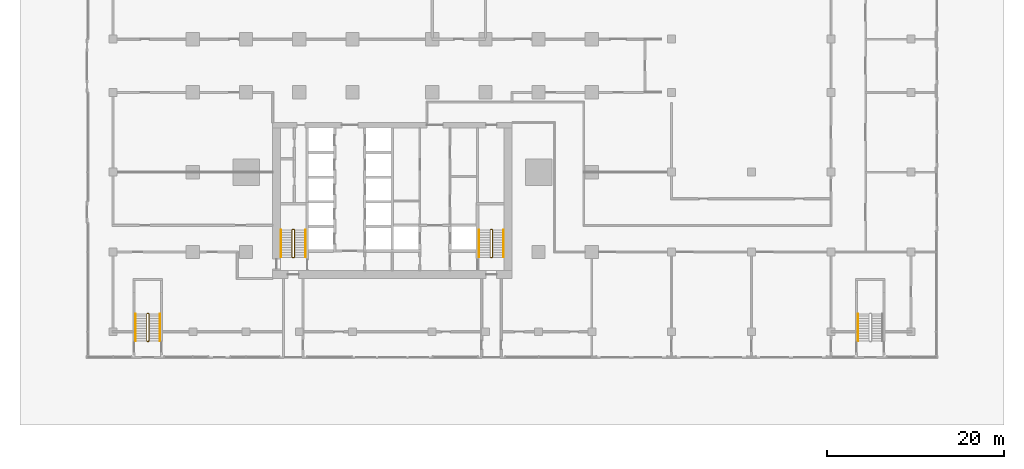
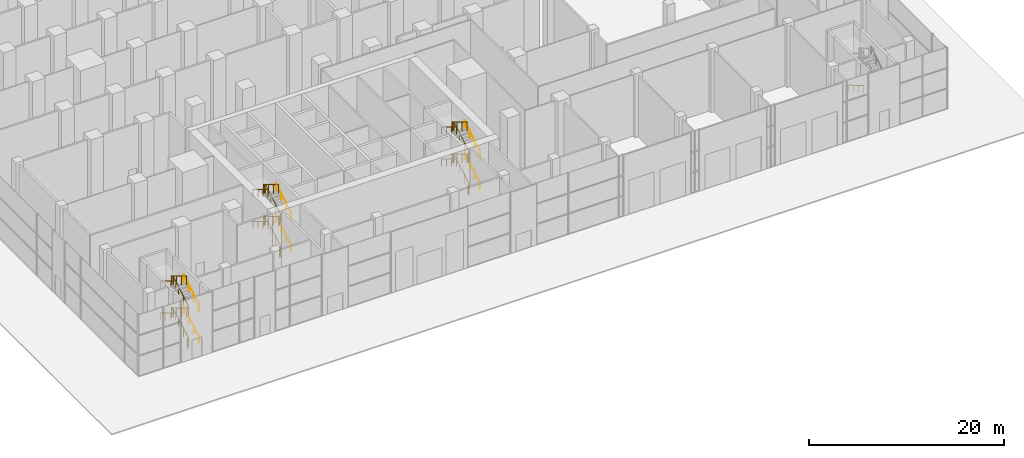
# One storey, part 28 of 29: 16 railings.
"""IFC4 building model written with IfcOpenShell, lengths in metres."""

from ifc_helpers import new_model, si_unit, direction, frame, origin, origin_2d, place, context, subcontext, project, spatial, circle, extrude, material, type_object, element, save


model = new_model("IFC4")

# Units and contexts
model_context = context("Model", 3, precision=1e-05, world=origin(), true_north=direction((0.0, 1.0)))
body_context = subcontext(model_context, "Body", "Model", "MODEL_VIEW")
ifc_project = project(units=[si_unit("LENGTHUNIT", "METRE"), si_unit("AREAUNIT", "SQUARE_METRE"), si_unit("VOLUMEUNIT", "CUBIC_METRE"), si_unit("PLANEANGLEUNIT", "RADIAN"), si_unit("MASSUNIT", "GRAM", prefix="KILO")], contexts=[model_context])

# Site, building, storey
site_placement = place(None, origin())
site = spatial("IfcSite", under=ifc_project, at=site_placement, CompositionType="ELEMENT")
building_placement = place(site_placement, origin())
building = spatial("IfcBuilding", under=site, at=building_placement, Name="Finial Court Residences", CompositionType="ELEMENT")
storey_placement = place(building_placement, origin())
storey = spatial("IfcBuildingStorey", under=building, at=storey_placement, Name="L00", CompositionType="ELEMENT", Elevation=0.0)

# Railings
ifc_material = material(Name="Stainless steel railing", Category="steel")
railing_type_1 = type_object("IfcRailingType", Name="Stair guard 1100", PredefinedType="GUARDRAIL", material=ifc_material)
railing_1_placement = place(storey_placement, frame((-11.10009765625, -23.14990234375, 0.0)))
element("IfcRailing", 1, at=railing_1_placement, inside=storey, type_object=railing_type_1, Name="L00 ST-1 stair guard 1", PredefinedType="GUARDRAIL", context=body_context, shape_type="SweptSolid", body=[
    extrude(circle(Radius=0.02392578125, at=origin_2d()), frame((0.0, 0.0, 1.076171875), z_axis=(-1.0, 0.0, 0.0), x_axis=(0.0, -1.0, 0.0)), (0.0, 0.0, 1.0), 0.14990234375),
    extrude(circle(Radius=0.02392578125, at=origin_2d()), frame((-0.14990234375, 0.0, 1.076171875), z_axis=(0.754313153044, 0.1878875253, 0.629054802844), x_axis=(-0.241699205484, 0.970351222016, 0.0)), (0.0, 0.0, 1.0), 0.26513671875),
    extrude(circle(Radius=0.02392578125, at=origin_2d()), frame((0.050048828125, 0.0498046875, 1.24267578125), z_axis=(0.0, 0.859308565015, 0.511457515432), x_axis=(-1.0, 0.0, 0.0)), (0.0, 0.0, 1.0), 3.58447265625),
    extrude(circle(Radius=0.02392578125, at=origin_2d()), frame((0.050048828125, 3.1298828125, 3.076171875), z_axis=(-0.707106781187, 0.707106781187, 0.0), x_axis=(-0.707106781187, -0.707106781187, 0.0)), (0.0, 0.0, 1.0), 0.07080078125),
    extrude(circle(Radius=0.02392578125, at=origin_2d()), frame((0.0, 3.179931640625, 3.076171875), z_axis=(-1.0, 0.0, 0.0), x_axis=(0.0, -1.0, 0.0)), (0.0, 0.0, 1.0), 0.14990234375),
    extrude(circle(Radius=0.02392578125, at=origin_2d()), frame((-0.14990234375, 3.179931640625, 3.076171875), z_axis=(-0.27628659633, -0.27628659633, 0.920506074601), x_axis=(0.707106781187, -0.707106781187, 0.0)), (0.0, 0.0, 1.0), 0.18115234375),
    extrude(circle(Radius=0.02392578125, at=origin_2d()), frame((-0.199951171875, 3.1298828125, 3.24267578125), z_axis=(0.0, -0.859308565015, 0.511457515432), x_axis=(1.0, 0.0, 0.0)), (0.0, 0.0, 1.0), 3.58447265625),
    extrude(circle(Radius=0.02392578125, at=origin_2d()), frame((-0.199951171875, 0.0498046875, 5.076171875), z_axis=(0.970351222016, -0.241699205484, 0.0), x_axis=(0.241699205484, 0.970351222016, 0.0)), (0.0, 0.0, 1.0), 0.2060546875),
    extrude(circle(Radius=0.02392578125, at=origin_2d()), frame((0.0, 0.0, 5.076171875), z_axis=(-1.0, 0.0, 0.0), x_axis=(0.0, -1.0, 0.0)), (0.0, 0.0, 1.0), 0.14990234375),
    extrude(circle(Radius=0.02392578125, at=origin_2d()), frame((-0.14990234375, 0.0, 5.076171875), z_axis=(0.754313153044, 0.1878875253, 0.629054802844), x_axis=(-0.241699205484, 0.970351222016, 0.0)), (0.0, 0.0, 1.0), 0.26513671875),
    extrude(circle(Radius=0.02392578125, at=origin_2d()), frame((0.050048828125, 0.0498046875, 5.24267578125), z_axis=(0.0, 0.859308565015, 0.511457515432), x_axis=(-1.0, 0.0, 0.0)), (0.0, 0.0, 1.0), 3.58447265625),
    extrude(circle(Radius=0.02392578125, at=origin_2d()), frame((0.050048828125, 3.1298828125, 7.076171875), z_axis=(-0.707106781187, 0.707106781187, 0.0), x_axis=(-0.707106781187, -0.707106781187, 0.0)), (0.0, 0.0, 1.0), 0.07080078125),
    extrude(circle(Radius=0.02392578125, at=origin_2d()), frame((0.0, 3.179931640625, 7.076171875), z_axis=(-1.0, 0.0, 0.0), x_axis=(0.0, -1.0, 0.0)), (0.0, 0.0, 1.0), 0.14990234375),
    extrude(circle(Radius=0.02392578125, at=origin_2d()), frame((-0.14990234375, 3.179931640625, 7.076171875), z_axis=(-0.27628659633, -0.27628659633, 0.920506074601), x_axis=(0.707106781187, -0.707106781187, 0.0)), (0.0, 0.0, 1.0), 0.18115234375),
    extrude(circle(Radius=0.02392578125, at=origin_2d()), frame((-0.199951171875, 3.1298828125, 7.24267578125), z_axis=(0.0, -0.859308565015, 0.511457515432), x_axis=(1.0, 0.0, 0.0)), (0.0, 0.0, 1.0), 3.58447265625),
    extrude(circle(Radius=0.02099609375, at=origin_2d()), origin(), (0.0, 0.0, 1.0), 1.052001953125),
    extrude(circle(Radius=0.02099609375, at=origin_2d()), frame((-0.14990234375, 0.0, 0.0)), (0.0, 0.0, 1.0), 1.052001953125),
    extrude(circle(Radius=0.02099609375, at=origin_2d()), frame((0.050048828125, 0.0498046875, 0.166748046875)), (0.0, 0.0, 1.0), 1.052001953125),
    extrude(circle(Radius=0.02099609375, at=origin_2d()), frame((0.050048828125, 1.076416015625, 0.77783203125)), (0.0, 0.0, 1.0), 1.052001953125),
    extrude(circle(Radius=0.02099609375, at=origin_2d()), frame((0.050048828125, 2.103271484375, 1.388916015625)), (0.0, 0.0, 1.0), 1.052001953125),
    extrude(circle(Radius=0.02099609375, at=origin_2d()), frame((0.050048828125, 3.1298828125, 2.0)), (0.0, 0.0, 1.0), 1.052001953125),
    extrude(circle(Radius=0.02099609375, at=origin_2d()), frame((0.0, 3.179931640625, 2.0)), (0.0, 0.0, 1.0), 1.052001953125),
    extrude(circle(Radius=0.02099609375, at=origin_2d()), frame((-0.14990234375, 3.179931640625, 2.0)), (0.0, 0.0, 1.0), 1.052001953125),
    extrude(circle(Radius=0.02099609375, at=origin_2d()), frame((-0.199951171875, 3.1298828125, 2.166748046875)), (0.0, 0.0, 1.0), 1.052001953125),
    extrude(circle(Radius=0.02099609375, at=origin_2d()), frame((-0.199951171875, 2.103271484375, 2.77783203125)), (0.0, 0.0, 1.0), 1.052001953125),
    extrude(circle(Radius=0.02099609375, at=origin_2d()), frame((-0.199951171875, 1.076416015625, 3.388916015625)), (0.0, 0.0, 1.0), 1.052001953125),
    extrude(circle(Radius=0.02099609375, at=origin_2d()), frame((-0.199951171875, 0.0498046875, 4.0)), (0.0, 0.0, 1.0), 1.052001953125),
    extrude(circle(Radius=0.02099609375, at=origin_2d()), frame((0.0, 0.0, 4.0)), (0.0, 0.0, 1.0), 1.052001953125),
    extrude(circle(Radius=0.02099609375, at=origin_2d()), frame((-0.14990234375, 0.0, 4.0)), (0.0, 0.0, 1.0), 1.052001953125),
    extrude(circle(Radius=0.02099609375, at=origin_2d()), frame((0.050048828125, 0.0498046875, 4.166748046875)), (0.0, 0.0, 1.0), 1.052001953125),
    extrude(circle(Radius=0.02099609375, at=origin_2d()), frame((0.050048828125, 1.076416015625, 4.77783203125)), (0.0, 0.0, 1.0), 1.052001953125),
    extrude(circle(Radius=0.02099609375, at=origin_2d()), frame((0.050048828125, 2.103271484375, 5.388916015625)), (0.0, 0.0, 1.0), 1.052001953125),
    extrude(circle(Radius=0.02099609375, at=origin_2d()), frame((0.050048828125, 3.1298828125, 6.0)), (0.0, 0.0, 1.0), 1.052001953125),
    extrude(circle(Radius=0.02099609375, at=origin_2d()), frame((0.0, 3.179931640625, 6.0)), (0.0, 0.0, 1.0), 1.052001953125),
    extrude(circle(Radius=0.02099609375, at=origin_2d()), frame((-0.14990234375, 3.179931640625, 6.0)), (0.0, 0.0, 1.0), 1.052001953125),
    extrude(circle(Radius=0.02099609375, at=origin_2d()), frame((-0.199951171875, 3.1298828125, 6.166748046875)), (0.0, 0.0, 1.0), 1.052001953125),
    extrude(circle(Radius=0.02099609375, at=origin_2d()), frame((-0.199951171875, 2.103271484375, 6.77783203125)), (0.0, 0.0, 1.0), 1.052001953125),
    extrude(circle(Radius=0.02099609375, at=origin_2d()), frame((-0.199951171875, 1.076416015625, 7.388916015625)), (0.0, 0.0, 1.0), 1.052001953125),
    extrude(circle(Radius=0.02099609375, at=origin_2d()), frame((-0.199951171875, 0.0498046875, 8.0)), (0.0, 0.0, 1.0), 1.052001953125),
])
railing_2_placement = place(storey_placement, frame((11.25, -23.14990234375, 0.0)))
element("IfcRailing", 2, at=railing_2_placement, inside=storey, type_object=railing_type_1, Name="L00 ST-2 stair guard 1", PredefinedType="GUARDRAIL", context=body_context, shape_type="SweptSolid", body=[
    extrude(circle(Radius=0.02392578125, at=origin_2d()), frame((0.0, 0.0, 1.076171875), z_axis=(-1.0, 0.0, 0.0), x_axis=(0.0, -1.0, 0.0)), (0.0, 0.0, 1.0), 0.14990234375),
    extrude(circle(Radius=0.02392578125, at=origin_2d()), frame((-0.14990234375, 0.0, 1.076171875), z_axis=(0.754313153044, 0.1878875253, 0.629054802844), x_axis=(-0.241699205484, 0.970351222016, 0.0)), (0.0, 0.0, 1.0), 0.26513671875),
    extrude(circle(Radius=0.02392578125, at=origin_2d()), frame((0.050048828125, 0.0498046875, 1.24267578125), z_axis=(0.0, 0.859308565015, 0.511457515432), x_axis=(-1.0, 0.0, 0.0)), (0.0, 0.0, 1.0), 3.58447265625),
    extrude(circle(Radius=0.02392578125, at=origin_2d()), frame((0.050048828125, 3.1298828125, 3.076171875), z_axis=(-0.707106781187, 0.707106781187, 0.0), x_axis=(-0.707106781187, -0.707106781187, 0.0)), (0.0, 0.0, 1.0), 0.07080078125),
    extrude(circle(Radius=0.02392578125, at=origin_2d()), frame((0.0, 3.179931640625, 3.076171875), z_axis=(-1.0, 0.0, 0.0), x_axis=(0.0, -1.0, 0.0)), (0.0, 0.0, 1.0), 0.14990234375),
    extrude(circle(Radius=0.02392578125, at=origin_2d()), frame((-0.14990234375, 3.179931640625, 3.076171875), z_axis=(-0.27628659633, -0.27628659633, 0.920506074601), x_axis=(0.707106781187, -0.707106781187, 0.0)), (0.0, 0.0, 1.0), 0.18115234375),
    extrude(circle(Radius=0.02392578125, at=origin_2d()), frame((-0.199951171875, 3.1298828125, 3.24267578125), z_axis=(0.0, -0.859308565015, 0.511457515432), x_axis=(1.0, 0.0, 0.0)), (0.0, 0.0, 1.0), 3.58447265625),
    extrude(circle(Radius=0.02392578125, at=origin_2d()), frame((-0.199951171875, 0.0498046875, 5.076171875), z_axis=(0.970351222016, -0.241699205484, 0.0), x_axis=(0.241699205484, 0.970351222016, 0.0)), (0.0, 0.0, 1.0), 0.2060546875),
    extrude(circle(Radius=0.02392578125, at=origin_2d()), frame((0.0, 0.0, 5.076171875), z_axis=(-1.0, 0.0, 0.0), x_axis=(0.0, -1.0, 0.0)), (0.0, 0.0, 1.0), 0.14990234375),
    extrude(circle(Radius=0.02392578125, at=origin_2d()), frame((-0.14990234375, 0.0, 5.076171875), z_axis=(0.754313153044, 0.1878875253, 0.629054802844), x_axis=(-0.241699205484, 0.970351222016, 0.0)), (0.0, 0.0, 1.0), 0.26513671875),
    extrude(circle(Radius=0.02392578125, at=origin_2d()), frame((0.050048828125, 0.0498046875, 5.24267578125), z_axis=(0.0, 0.859308565015, 0.511457515432), x_axis=(-1.0, 0.0, 0.0)), (0.0, 0.0, 1.0), 3.58447265625),
    extrude(circle(Radius=0.02392578125, at=origin_2d()), frame((0.050048828125, 3.1298828125, 7.076171875), z_axis=(-0.707106781187, 0.707106781187, 0.0), x_axis=(-0.707106781187, -0.707106781187, 0.0)), (0.0, 0.0, 1.0), 0.07080078125),
    extrude(circle(Radius=0.02392578125, at=origin_2d()), frame((0.0, 3.179931640625, 7.076171875), z_axis=(-1.0, 0.0, 0.0), x_axis=(0.0, -1.0, 0.0)), (0.0, 0.0, 1.0), 0.14990234375),
    extrude(circle(Radius=0.02392578125, at=origin_2d()), frame((-0.14990234375, 3.179931640625, 7.076171875), z_axis=(-0.27628659633, -0.27628659633, 0.920506074601), x_axis=(0.707106781187, -0.707106781187, 0.0)), (0.0, 0.0, 1.0), 0.18115234375),
    extrude(circle(Radius=0.02392578125, at=origin_2d()), frame((-0.199951171875, 3.1298828125, 7.24267578125), z_axis=(0.0, -0.859308565015, 0.511457515432), x_axis=(1.0, 0.0, 0.0)), (0.0, 0.0, 1.0), 3.58447265625),
    extrude(circle(Radius=0.02099609375, at=origin_2d()), origin(), (0.0, 0.0, 1.0), 1.052001953125),
    extrude(circle(Radius=0.02099609375, at=origin_2d()), frame((-0.14990234375, 0.0, 0.0)), (0.0, 0.0, 1.0), 1.052001953125),
    extrude(circle(Radius=0.02099609375, at=origin_2d()), frame((0.050048828125, 0.0498046875, 0.166748046875)), (0.0, 0.0, 1.0), 1.052001953125),
    extrude(circle(Radius=0.02099609375, at=origin_2d()), frame((0.050048828125, 1.076416015625, 0.77783203125)), (0.0, 0.0, 1.0), 1.052001953125),
    extrude(circle(Radius=0.02099609375, at=origin_2d()), frame((0.050048828125, 2.103271484375, 1.388916015625)), (0.0, 0.0, 1.0), 1.052001953125),
    extrude(circle(Radius=0.02099609375, at=origin_2d()), frame((0.050048828125, 3.1298828125, 2.0)), (0.0, 0.0, 1.0), 1.052001953125),
    extrude(circle(Radius=0.02099609375, at=origin_2d()), frame((0.0, 3.179931640625, 2.0)), (0.0, 0.0, 1.0), 1.052001953125),
    extrude(circle(Radius=0.02099609375, at=origin_2d()), frame((-0.14990234375, 3.179931640625, 2.0)), (0.0, 0.0, 1.0), 1.052001953125),
    extrude(circle(Radius=0.02099609375, at=origin_2d()), frame((-0.199951171875, 3.1298828125, 2.166748046875)), (0.0, 0.0, 1.0), 1.052001953125),
    extrude(circle(Radius=0.02099609375, at=origin_2d()), frame((-0.199951171875, 2.103271484375, 2.77783203125)), (0.0, 0.0, 1.0), 1.052001953125),
    extrude(circle(Radius=0.02099609375, at=origin_2d()), frame((-0.199951171875, 1.076416015625, 3.388916015625)), (0.0, 0.0, 1.0), 1.052001953125),
    extrude(circle(Radius=0.02099609375, at=origin_2d()), frame((-0.199951171875, 0.0498046875, 4.0)), (0.0, 0.0, 1.0), 1.052001953125),
    extrude(circle(Radius=0.02099609375, at=origin_2d()), frame((0.0, 0.0, 4.0)), (0.0, 0.0, 1.0), 1.052001953125),
    extrude(circle(Radius=0.02099609375, at=origin_2d()), frame((-0.14990234375, 0.0, 4.0)), (0.0, 0.0, 1.0), 1.052001953125),
    extrude(circle(Radius=0.02099609375, at=origin_2d()), frame((0.050048828125, 0.0498046875, 4.166748046875)), (0.0, 0.0, 1.0), 1.052001953125),
    extrude(circle(Radius=0.02099609375, at=origin_2d()), frame((0.050048828125, 1.076416015625, 4.77783203125)), (0.0, 0.0, 1.0), 1.052001953125),
    extrude(circle(Radius=0.02099609375, at=origin_2d()), frame((0.050048828125, 2.103271484375, 5.388916015625)), (0.0, 0.0, 1.0), 1.052001953125),
    extrude(circle(Radius=0.02099609375, at=origin_2d()), frame((0.050048828125, 3.1298828125, 6.0)), (0.0, 0.0, 1.0), 1.052001953125),
    extrude(circle(Radius=0.02099609375, at=origin_2d()), frame((0.0, 3.179931640625, 6.0)), (0.0, 0.0, 1.0), 1.052001953125),
    extrude(circle(Radius=0.02099609375, at=origin_2d()), frame((-0.14990234375, 3.179931640625, 6.0)), (0.0, 0.0, 1.0), 1.052001953125),
    extrude(circle(Radius=0.02099609375, at=origin_2d()), frame((-0.199951171875, 3.1298828125, 6.166748046875)), (0.0, 0.0, 1.0), 1.052001953125),
    extrude(circle(Radius=0.02099609375, at=origin_2d()), frame((-0.199951171875, 2.103271484375, 6.77783203125)), (0.0, 0.0, 1.0), 1.052001953125),
    extrude(circle(Radius=0.02099609375, at=origin_2d()), frame((-0.199951171875, 1.076416015625, 7.388916015625)), (0.0, 0.0, 1.0), 1.052001953125),
    extrude(circle(Radius=0.02099609375, at=origin_2d()), frame((-0.199951171875, 0.0498046875, 8.0)), (0.0, 0.0, 1.0), 1.052001953125),
])
railing_3_placement = place(storey_placement, frame((-27.5, -32.60009765625, 0.0)))
element("IfcRailing", 3, at=railing_3_placement, inside=storey, type_object=railing_type_1, Name="L00 ST-4 stair guard 1", PredefinedType="GUARDRAIL", context=body_context, shape_type="SweptSolid", body=[
    extrude(circle(Radius=0.02392578125, at=origin_2d()), frame((0.0, 0.0, 1.076171875), z_axis=(-1.0, 0.0, 0.0), x_axis=(0.0, -1.0, 0.0)), (0.0, 0.0, 1.0), 0.14990234375),
    extrude(circle(Radius=0.02392578125, at=origin_2d()), frame((-0.14990234375, 0.0, 1.076171875), z_axis=(0.754182335027, 0.188775798145, 0.628945707965), x_axis=(-0.242814311512, 0.970072785993, 0.0)), (0.0, 0.0, 1.0), 0.26513671875),
    extrude(circle(Radius=0.02392578125, at=origin_2d()), frame((0.050048828125, 0.050048828125, 1.24267578125), z_axis=(0.0, 0.859308565015, 0.511457515432), x_axis=(-1.0, 0.0, 0.0)), (0.0, 0.0, 1.0), 3.58447265625),
    extrude(circle(Radius=0.02392578125, at=origin_2d()), frame((0.050048828125, 3.130126953125, 3.076171875), z_axis=(-0.707106781187, 0.707106781187, 0.0), x_axis=(-0.707106781187, -0.707106781187, 0.0)), (0.0, 0.0, 1.0), 0.07080078125),
    extrude(circle(Radius=0.02392578125, at=origin_2d()), frame((0.0, 3.18017578125, 3.076171875), z_axis=(-1.0, 0.0, 0.0), x_axis=(0.0, -1.0, 0.0)), (0.0, 0.0, 1.0), 0.14990234375),
    extrude(circle(Radius=0.02392578125, at=origin_2d()), frame((-0.14990234375, 3.18017578125, 3.076171875), z_axis=(-0.27628659633, -0.27628659633, 0.920506074601), x_axis=(0.707106781187, -0.707106781187, 0.0)), (0.0, 0.0, 1.0), 0.18115234375),
    extrude(circle(Radius=0.02392578125, at=origin_2d()), frame((-0.199951171875, 3.130126953125, 3.24267578125), z_axis=(0.0, -0.859308565015, 0.511457515432), x_axis=(1.0, 0.0, 0.0)), (0.0, 0.0, 1.0), 3.58447265625),
    extrude(circle(Radius=0.02392578125, at=origin_2d()), frame((-0.199951171875, 0.050048828125, 5.076171875), z_axis=(0.970072785993, -0.242814311512, 0.0), x_axis=(0.242814311512, 0.970072785993, 0.0)), (0.0, 0.0, 1.0), 0.2060546875),
    extrude(circle(Radius=0.02392578125, at=origin_2d()), frame((0.0, 0.0, 5.076171875), z_axis=(-1.0, 0.0, 0.0), x_axis=(0.0, -1.0, 0.0)), (0.0, 0.0, 1.0), 0.14990234375),
    extrude(circle(Radius=0.02392578125, at=origin_2d()), frame((-0.14990234375, 0.0, 5.076171875), z_axis=(0.754182335027, 0.188775798145, 0.628945707965), x_axis=(-0.242814311512, 0.970072785993, 0.0)), (0.0, 0.0, 1.0), 0.26513671875),
    extrude(circle(Radius=0.02392578125, at=origin_2d()), frame((0.050048828125, 0.050048828125, 5.24267578125), z_axis=(0.0, 0.859308565015, 0.511457515432), x_axis=(-1.0, 0.0, 0.0)), (0.0, 0.0, 1.0), 3.58447265625),
    extrude(circle(Radius=0.02392578125, at=origin_2d()), frame((0.050048828125, 3.130126953125, 7.076171875), z_axis=(-0.707106781187, 0.707106781187, 0.0), x_axis=(-0.707106781187, -0.707106781187, 0.0)), (0.0, 0.0, 1.0), 0.07080078125),
    extrude(circle(Radius=0.02392578125, at=origin_2d()), frame((0.0, 3.18017578125, 7.076171875), z_axis=(-1.0, 0.0, 0.0), x_axis=(0.0, -1.0, 0.0)), (0.0, 0.0, 1.0), 0.14990234375),
    extrude(circle(Radius=0.02392578125, at=origin_2d()), frame((-0.14990234375, 3.18017578125, 7.076171875), z_axis=(-0.27628659633, -0.27628659633, 0.920506074601), x_axis=(0.707106781187, -0.707106781187, 0.0)), (0.0, 0.0, 1.0), 0.18115234375),
    extrude(circle(Radius=0.02392578125, at=origin_2d()), frame((-0.199951171875, 3.130126953125, 7.24267578125), z_axis=(0.0, -0.859308565015, 0.511457515432), x_axis=(1.0, 0.0, 0.0)), (0.0, 0.0, 1.0), 3.58447265625),
    extrude(circle(Radius=0.02099609375, at=origin_2d()), origin(), (0.0, 0.0, 1.0), 1.052001953125),
    extrude(circle(Radius=0.02099609375, at=origin_2d()), frame((-0.14990234375, 0.0, 0.0)), (0.0, 0.0, 1.0), 1.052001953125),
    extrude(circle(Radius=0.02099609375, at=origin_2d()), frame((0.050048828125, 0.050048828125, 0.166748046875)), (0.0, 0.0, 1.0), 1.052001953125),
    extrude(circle(Radius=0.02099609375, at=origin_2d()), frame((0.050048828125, 1.07666015625, 0.77783203125)), (0.0, 0.0, 1.0), 1.052001953125),
    extrude(circle(Radius=0.02099609375, at=origin_2d()), frame((0.050048828125, 2.103515625, 1.388916015625)), (0.0, 0.0, 1.0), 1.052001953125),
    extrude(circle(Radius=0.02099609375, at=origin_2d()), frame((0.050048828125, 3.130126953125, 2.0)), (0.0, 0.0, 1.0), 1.052001953125),
    extrude(circle(Radius=0.02099609375, at=origin_2d()), frame((0.0, 3.18017578125, 2.0)), (0.0, 0.0, 1.0), 1.052001953125),
    extrude(circle(Radius=0.02099609375, at=origin_2d()), frame((-0.14990234375, 3.18017578125, 2.0)), (0.0, 0.0, 1.0), 1.052001953125),
    extrude(circle(Radius=0.02099609375, at=origin_2d()), frame((-0.199951171875, 3.130126953125, 2.166748046875)), (0.0, 0.0, 1.0), 1.052001953125),
    extrude(circle(Radius=0.02099609375, at=origin_2d()), frame((-0.199951171875, 2.103515625, 2.77783203125)), (0.0, 0.0, 1.0), 1.052001953125),
    extrude(circle(Radius=0.02099609375, at=origin_2d()), frame((-0.199951171875, 1.07666015625, 3.388916015625)), (0.0, 0.0, 1.0), 1.052001953125),
    extrude(circle(Radius=0.02099609375, at=origin_2d()), frame((-0.199951171875, 0.050048828125, 4.0)), (0.0, 0.0, 1.0), 1.052001953125),
    extrude(circle(Radius=0.02099609375, at=origin_2d()), frame((0.0, 0.0, 4.0)), (0.0, 0.0, 1.0), 1.052001953125),
    extrude(circle(Radius=0.02099609375, at=origin_2d()), frame((-0.14990234375, 0.0, 4.0)), (0.0, 0.0, 1.0), 1.052001953125),
    extrude(circle(Radius=0.02099609375, at=origin_2d()), frame((0.050048828125, 0.050048828125, 4.166748046875)), (0.0, 0.0, 1.0), 1.052001953125),
    extrude(circle(Radius=0.02099609375, at=origin_2d()), frame((0.050048828125, 1.07666015625, 4.77783203125)), (0.0, 0.0, 1.0), 1.052001953125),
    extrude(circle(Radius=0.02099609375, at=origin_2d()), frame((0.050048828125, 2.103515625, 5.388916015625)), (0.0, 0.0, 1.0), 1.052001953125),
    extrude(circle(Radius=0.02099609375, at=origin_2d()), frame((0.050048828125, 3.130126953125, 6.0)), (0.0, 0.0, 1.0), 1.052001953125),
    extrude(circle(Radius=0.02099609375, at=origin_2d()), frame((0.0, 3.18017578125, 6.0)), (0.0, 0.0, 1.0), 1.052001953125),
    extrude(circle(Radius=0.02099609375, at=origin_2d()), frame((-0.14990234375, 3.18017578125, 6.0)), (0.0, 0.0, 1.0), 1.052001953125),
    extrude(circle(Radius=0.02099609375, at=origin_2d()), frame((-0.199951171875, 3.130126953125, 6.166748046875)), (0.0, 0.0, 1.0), 1.052001953125),
    extrude(circle(Radius=0.02099609375, at=origin_2d()), frame((-0.199951171875, 2.103515625, 6.77783203125)), (0.0, 0.0, 1.0), 1.052001953125),
    extrude(circle(Radius=0.02099609375, at=origin_2d()), frame((-0.199951171875, 1.07666015625, 7.388916015625)), (0.0, 0.0, 1.0), 1.052001953125),
    extrude(circle(Radius=0.02099609375, at=origin_2d()), frame((-0.199951171875, 0.050048828125, 8.0)), (0.0, 0.0, 1.0), 1.052001953125),
])
railing_type_2 = type_object("IfcRailingType", Name="Stair handrail 900", PredefinedType="HANDRAIL", material=ifc_material)
railing_4_placement = place(storey_placement, frame((-9.800048828125, -23.10009765625, 0.166748046875)))
element("IfcRailing", 4, at=railing_4_placement, inside=storey, type_object=railing_type_2, Name="L00 ST-1 stair handrail 1", PredefinedType="HANDRAIL", context=body_context, shape_type="SweptSolid", body=[
    extrude(circle(Radius=0.02392578125, at=origin_2d()), frame((0.0, 0.0, 0.8759765625), z_axis=(0.0, 0.859308565015, 0.511457515432), x_axis=(-1.0, 0.0, 0.0)), (0.0, 0.0, 1.0), 3.58447265625),
    extrude(circle(Radius=0.02099609375, at=origin_2d()), origin(), (0.0, 0.0, 1.0), 0.851806640625),
    extrude(circle(Radius=0.02099609375, at=origin_2d()), frame((0.0, 1.026611328125, 0.611083984375)), (0.0, 0.0, 1.0), 0.851806640625),
    extrude(circle(Radius=0.02099609375, at=origin_2d()), frame((0.0, 2.053466796875, 1.22216796875)), (0.0, 0.0, 1.0), 0.851806640625),
    extrude(circle(Radius=0.02099609375, at=origin_2d()), frame((0.0, 3.080078125, 1.833251953125)), (0.0, 0.0, 1.0), 0.851806640625),
])
railing_5_placement = place(storey_placement, frame((-12.550048828125, -20.02001953125, 2.166748046875)))
element("IfcRailing", 5, at=railing_5_placement, inside=storey, type_object=railing_type_2, Name="L00 ST-1 stair handrail 2", PredefinedType="HANDRAIL", context=body_context, shape_type="SweptSolid", body=[
    extrude(circle(Radius=0.02392578125, at=origin_2d()), frame((0.0, 0.0, 0.8759765625), z_axis=(0.0, -0.859308565015, 0.511457515432), x_axis=(1.0, 0.0, 0.0)), (0.0, 0.0, 1.0), 3.58447265625),
    extrude(circle(Radius=0.02099609375, at=origin_2d()), origin(), (0.0, 0.0, 1.0), 0.851806640625),
    extrude(circle(Radius=0.02099609375, at=origin_2d()), frame((0.0, -1.026611328125, 0.611083984375)), (0.0, 0.0, 1.0), 0.851806640625),
    extrude(circle(Radius=0.02099609375, at=origin_2d()), frame((0.0, -2.053466796875, 1.22216796875)), (0.0, 0.0, 1.0), 0.851806640625),
    extrude(circle(Radius=0.02099609375, at=origin_2d()), frame((0.0, -3.080078125, 1.833251953125)), (0.0, 0.0, 1.0), 0.851806640625),
])
railing_6_placement = place(storey_placement, frame((-9.800048828125, -23.10009765625, 4.166748046875)))
element("IfcRailing", 6, at=railing_6_placement, inside=storey, type_object=railing_type_2, Name="L00 ST-1 stair handrail 3", PredefinedType="HANDRAIL", context=body_context, shape_type="SweptSolid", body=[
    extrude(circle(Radius=0.02392578125, at=origin_2d()), frame((0.0, 0.0, 0.8759765625), z_axis=(0.0, 0.859308565015, 0.511457515432), x_axis=(-1.0, 0.0, 0.0)), (0.0, 0.0, 1.0), 3.58447265625),
    extrude(circle(Radius=0.02099609375, at=origin_2d()), origin(), (0.0, 0.0, 1.0), 0.851806640625),
    extrude(circle(Radius=0.02099609375, at=origin_2d()), frame((0.0, 1.026611328125, 0.611083984375)), (0.0, 0.0, 1.0), 0.851806640625),
    extrude(circle(Radius=0.02099609375, at=origin_2d()), frame((0.0, 2.053466796875, 1.22216796875)), (0.0, 0.0, 1.0), 0.851806640625),
    extrude(circle(Radius=0.02099609375, at=origin_2d()), frame((0.0, 3.080078125, 1.833251953125)), (0.0, 0.0, 1.0), 0.851806640625),
])
railing_7_placement = place(storey_placement, frame((-12.550048828125, -20.02001953125, 6.166748046875)))
element("IfcRailing", 7, at=railing_7_placement, inside=storey, type_object=railing_type_2, Name="L00 ST-1 stair handrail 4", PredefinedType="HANDRAIL", context=body_context, shape_type="SweptSolid", body=[
    extrude(circle(Radius=0.02392578125, at=origin_2d()), frame((0.0, 0.0, 0.8759765625), z_axis=(0.0, -0.859308565015, 0.511457515432), x_axis=(1.0, 0.0, 0.0)), (0.0, 0.0, 1.0), 3.58447265625),
    extrude(circle(Radius=0.02099609375, at=origin_2d()), origin(), (0.0, 0.0, 1.0), 0.851806640625),
    extrude(circle(Radius=0.02099609375, at=origin_2d()), frame((0.0, -1.026611328125, 0.611083984375)), (0.0, 0.0, 1.0), 0.851806640625),
    extrude(circle(Radius=0.02099609375, at=origin_2d()), frame((0.0, -2.053466796875, 1.22216796875)), (0.0, 0.0, 1.0), 0.851806640625),
    extrude(circle(Radius=0.02099609375, at=origin_2d()), frame((0.0, -3.080078125, 1.833251953125)), (0.0, 0.0, 1.0), 0.851806640625),
])
railing_8_placement = place(storey_placement, frame((12.550048828125, -23.10009765625, 0.166748046875)))
element("IfcRailing", 8, at=railing_8_placement, inside=storey, type_object=railing_type_2, Name="L00 ST-2 stair handrail 1", PredefinedType="HANDRAIL", context=body_context, shape_type="SweptSolid", body=[
    extrude(circle(Radius=0.02392578125, at=origin_2d()), frame((0.0, 0.0, 0.8759765625), z_axis=(0.0, 0.859308565015, 0.511457515432), x_axis=(-1.0, 0.0, 0.0)), (0.0, 0.0, 1.0), 3.58447265625),
    extrude(circle(Radius=0.02099609375, at=origin_2d()), origin(), (0.0, 0.0, 1.0), 0.851806640625),
    extrude(circle(Radius=0.02099609375, at=origin_2d()), frame((0.0, 1.026611328125, 0.611083984375)), (0.0, 0.0, 1.0), 0.851806640625),
    extrude(circle(Radius=0.02099609375, at=origin_2d()), frame((0.0, 2.053466796875, 1.22216796875)), (0.0, 0.0, 1.0), 0.851806640625),
    extrude(circle(Radius=0.02099609375, at=origin_2d()), frame((0.0, 3.080078125, 1.833251953125)), (0.0, 0.0, 1.0), 0.851806640625),
])
railing_9_placement = place(storey_placement, frame((9.800048828125, -20.02001953125, 2.166748046875)))
element("IfcRailing", 9, at=railing_9_placement, inside=storey, type_object=railing_type_2, Name="L00 ST-2 stair handrail 2", PredefinedType="HANDRAIL", context=body_context, shape_type="SweptSolid", body=[
    extrude(circle(Radius=0.02392578125, at=origin_2d()), frame((0.0, 0.0, 0.8759765625), z_axis=(0.0, -0.859308565015, 0.511457515432), x_axis=(1.0, 0.0, 0.0)), (0.0, 0.0, 1.0), 3.58447265625),
    extrude(circle(Radius=0.02099609375, at=origin_2d()), origin(), (0.0, 0.0, 1.0), 0.851806640625),
    extrude(circle(Radius=0.02099609375, at=origin_2d()), frame((0.0, -1.026611328125, 0.611083984375)), (0.0, 0.0, 1.0), 0.851806640625),
    extrude(circle(Radius=0.02099609375, at=origin_2d()), frame((0.0, -2.053466796875, 1.22216796875)), (0.0, 0.0, 1.0), 0.851806640625),
    extrude(circle(Radius=0.02099609375, at=origin_2d()), frame((0.0, -3.080078125, 1.833251953125)), (0.0, 0.0, 1.0), 0.851806640625),
])
railing_10_placement = place(storey_placement, frame((12.550048828125, -23.10009765625, 4.166748046875)))
element("IfcRailing", 10, at=railing_10_placement, inside=storey, type_object=railing_type_2, Name="L00 ST-2 stair handrail 3", PredefinedType="HANDRAIL", context=body_context, shape_type="SweptSolid", body=[
    extrude(circle(Radius=0.02392578125, at=origin_2d()), frame((0.0, 0.0, 0.8759765625), z_axis=(0.0, 0.859308565015, 0.511457515432), x_axis=(-1.0, 0.0, 0.0)), (0.0, 0.0, 1.0), 3.58447265625),
    extrude(circle(Radius=0.02099609375, at=origin_2d()), origin(), (0.0, 0.0, 1.0), 0.851806640625),
    extrude(circle(Radius=0.02099609375, at=origin_2d()), frame((0.0, 1.026611328125, 0.611083984375)), (0.0, 0.0, 1.0), 0.851806640625),
    extrude(circle(Radius=0.02099609375, at=origin_2d()), frame((0.0, 2.053466796875, 1.22216796875)), (0.0, 0.0, 1.0), 0.851806640625),
    extrude(circle(Radius=0.02099609375, at=origin_2d()), frame((0.0, 3.080078125, 1.833251953125)), (0.0, 0.0, 1.0), 0.851806640625),
])
for number, where, name in (
    (11, (9.800048828125, -20.02001953125, 6.166748046875), "L00 ST-2 stair handrail 4"),
    (12, (52.550048828125, -29.469970703125, 2.166748046875), "L00 ST-3 stair handrail 2"),
):
    element("IfcRailing", number, at=place(storey_placement, frame(where)), inside=storey, type_object=railing_type_2, Name=name, PredefinedType="HANDRAIL", context=body_context, shape_type="SweptSolid", body=[
        extrude(circle(Radius=0.02392578125, at=origin_2d()), frame((0.0, 0.0, 0.8759765625), z_axis=(0.0, -0.859308565015, 0.511457515432), x_axis=(1.0, 0.0, 0.0)), (0.0, 0.0, 1.0), 3.58447265625),
        extrude(circle(Radius=0.02099609375, at=origin_2d()), origin(), (0.0, 0.0, 1.0), 0.851806640625),
        extrude(circle(Radius=0.02099609375, at=origin_2d()), frame((0.0, -1.026611328125, 0.611083984375)), (0.0, 0.0, 1.0), 0.851806640625),
        extrude(circle(Radius=0.02099609375, at=origin_2d()), frame((0.0, -2.053466796875, 1.22216796875)), (0.0, 0.0, 1.0), 0.851806640625),
        extrude(circle(Radius=0.02099609375, at=origin_2d()), frame((0.0, -3.080078125, 1.833251953125)), (0.0, 0.0, 1.0), 0.851806640625),
    ])
railing_11_placement = place(storey_placement, frame((-26.199951171875, -32.550048828125, 0.166748046875)))
element("IfcRailing", 13, at=railing_11_placement, inside=storey, type_object=railing_type_2, Name="L00 ST-4 stair handrail 1", PredefinedType="HANDRAIL", context=body_context, shape_type="SweptSolid", body=[
    extrude(circle(Radius=0.02392578125, at=origin_2d()), frame((0.0, 0.0, 0.8759765625), z_axis=(0.0, 0.859308565015, 0.511457515432), x_axis=(-1.0, 0.0, 0.0)), (0.0, 0.0, 1.0), 3.58447265625),
    extrude(circle(Radius=0.02099609375, at=origin_2d()), origin(), (0.0, 0.0, 1.0), 0.851806640625),
    extrude(circle(Radius=0.02099609375, at=origin_2d()), frame((0.0, 1.026611328125, 0.611083984375)), (0.0, 0.0, 1.0), 0.851806640625),
    extrude(circle(Radius=0.02099609375, at=origin_2d()), frame((0.0, 2.053466796875, 1.22216796875)), (0.0, 0.0, 1.0), 0.851806640625),
    extrude(circle(Radius=0.02099609375, at=origin_2d()), frame((0.0, 3.080078125, 1.833251953125)), (0.0, 0.0, 1.0), 0.851806640625),
])
railing_12_placement = place(storey_placement, frame((-28.949951171875, -29.469970703125, 2.166748046875)))
element("IfcRailing", 14, at=railing_12_placement, inside=storey, type_object=railing_type_2, Name="L00 ST-4 stair handrail 2", PredefinedType="HANDRAIL", context=body_context, shape_type="SweptSolid", body=[
    extrude(circle(Radius=0.02392578125, at=origin_2d()), frame((0.0, 0.0, 0.8759765625), z_axis=(0.0, -0.859308565015, 0.511457515432), x_axis=(1.0, 0.0, 0.0)), (0.0, 0.0, 1.0), 3.58447265625),
    extrude(circle(Radius=0.02099609375, at=origin_2d()), origin(), (0.0, 0.0, 1.0), 0.851806640625),
    extrude(circle(Radius=0.02099609375, at=origin_2d()), frame((0.0, -1.026611328125, 0.611083984375)), (0.0, 0.0, 1.0), 0.851806640625),
    extrude(circle(Radius=0.02099609375, at=origin_2d()), frame((0.0, -2.053466796875, 1.22216796875)), (0.0, 0.0, 1.0), 0.851806640625),
    extrude(circle(Radius=0.02099609375, at=origin_2d()), frame((0.0, -3.080078125, 1.833251953125)), (0.0, 0.0, 1.0), 0.851806640625),
])
railing_13_placement = place(storey_placement, frame((-26.199951171875, -32.550048828125, 4.166748046875)))
element("IfcRailing", 15, at=railing_13_placement, inside=storey, type_object=railing_type_2, Name="L00 ST-4 stair handrail 3", PredefinedType="HANDRAIL", context=body_context, shape_type="SweptSolid", body=[
    extrude(circle(Radius=0.02392578125, at=origin_2d()), frame((0.0, 0.0, 0.8759765625), z_axis=(0.0, 0.859308565015, 0.511457515432), x_axis=(-1.0, 0.0, 0.0)), (0.0, 0.0, 1.0), 3.58447265625),
    extrude(circle(Radius=0.02099609375, at=origin_2d()), origin(), (0.0, 0.0, 1.0), 0.851806640625),
    extrude(circle(Radius=0.02099609375, at=origin_2d()), frame((0.0, 1.026611328125, 0.611083984375)), (0.0, 0.0, 1.0), 0.851806640625),
    extrude(circle(Radius=0.02099609375, at=origin_2d()), frame((0.0, 2.053466796875, 1.22216796875)), (0.0, 0.0, 1.0), 0.851806640625),
    extrude(circle(Radius=0.02099609375, at=origin_2d()), frame((0.0, 3.080078125, 1.833251953125)), (0.0, 0.0, 1.0), 0.851806640625),
])
railing_14_placement = place(storey_placement, frame((-28.949951171875, -29.469970703125, 6.166748046875)))
element("IfcRailing", 16, at=railing_14_placement, inside=storey, type_object=railing_type_2, Name="L00 ST-4 stair handrail 4", PredefinedType="HANDRAIL", context=body_context, shape_type="SweptSolid", body=[
    extrude(circle(Radius=0.02392578125, at=origin_2d()), frame((0.0, 0.0, 0.8759765625), z_axis=(0.0, -0.859308565015, 0.511457515432), x_axis=(1.0, 0.0, 0.0)), (0.0, 0.0, 1.0), 3.58447265625),
    extrude(circle(Radius=0.02099609375, at=origin_2d()), origin(), (0.0, 0.0, 1.0), 0.851806640625),
    extrude(circle(Radius=0.02099609375, at=origin_2d()), frame((0.0, -1.026611328125, 0.611083984375)), (0.0, 0.0, 1.0), 0.851806640625),
    extrude(circle(Radius=0.02099609375, at=origin_2d()), frame((0.0, -2.053466796875, 1.22216796875)), (0.0, 0.0, 1.0), 0.851806640625),
    extrude(circle(Radius=0.02099609375, at=origin_2d()), frame((0.0, -3.080078125, 1.833251953125)), (0.0, 0.0, 1.0), 0.851806640625),
])

save(model, "model.ifc")
